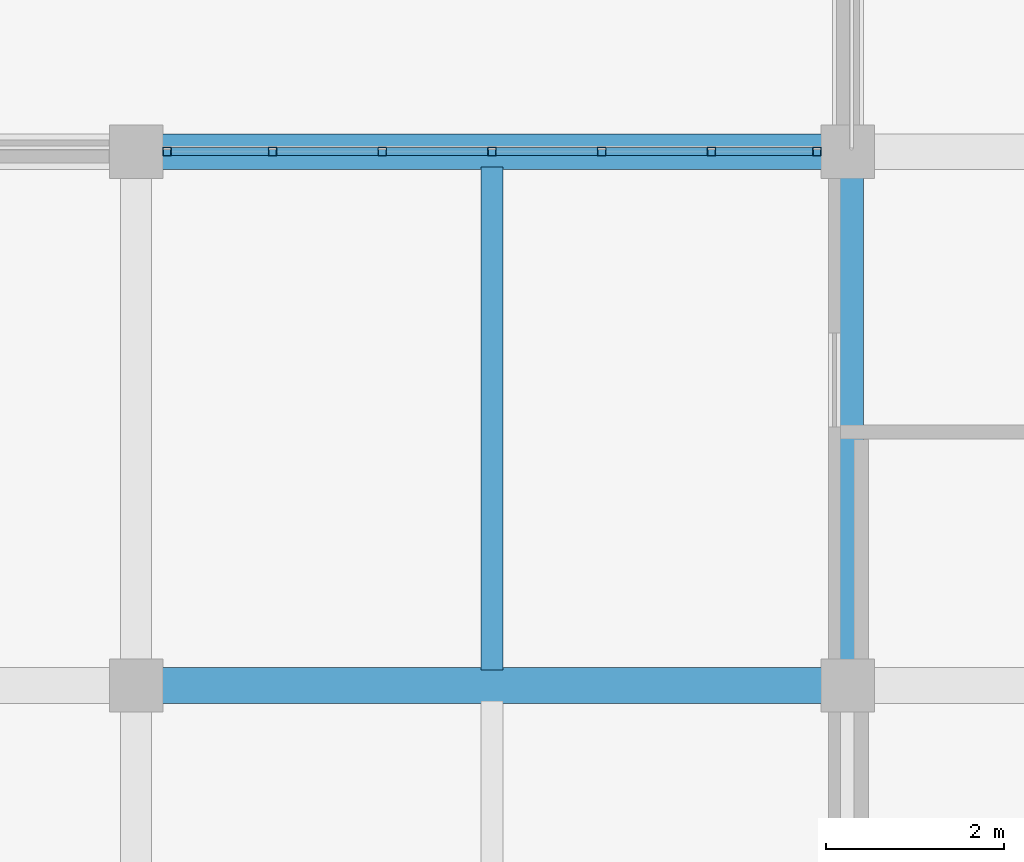
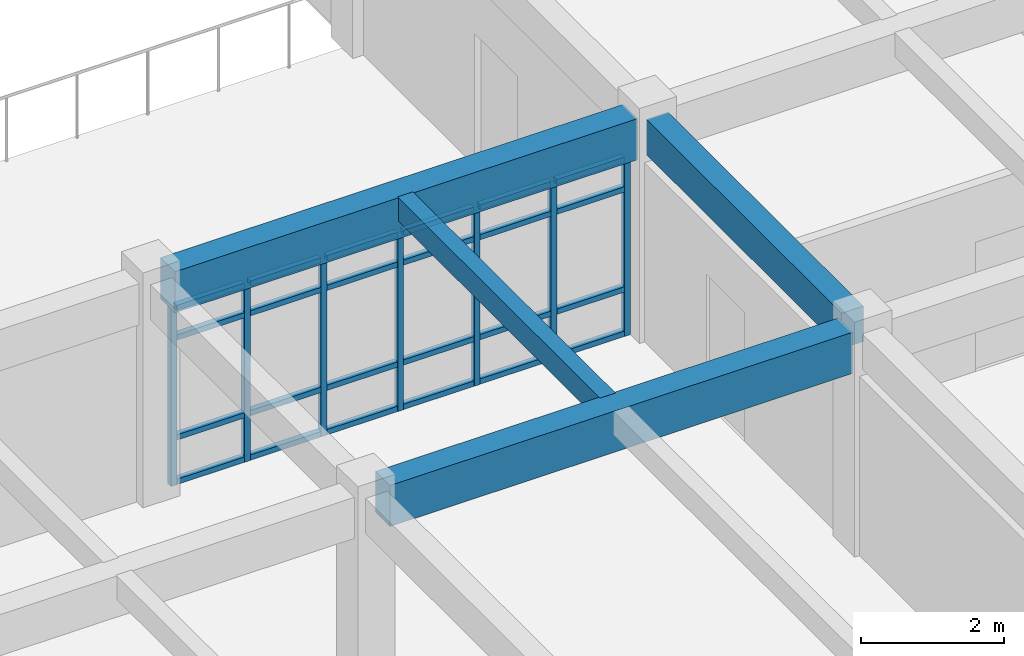
# One storey, part 81 of 159: 31 members, 4 beams, 1 element without a shape of its own.
"""IFC4 building model written with IfcOpenShell, lengths in metres."""

import ifcopenshell
import ifcopenshell.guid

model = None  # the IFC model being written
_history = None  # IfcOwnerHistory: only IFC2X3 demands one
_inside = {}  # id of a spatial element -> (the spatial element, [elements in it])
_under = {}  # id of a project, library or spatial element -> (it, [spatial elements below it])
_declared = {}  # id of a project -> (the project, [libraries it declares])
_typed = {}  # id of a type object -> (the type object, [elements of that type])
_made_of = {}  # id of a material, layer set ... -> (it, [elements and type objects made of it])


def new_model(schema):
    """Start an empty IFC model of exactly this schema.

    Asked for "IFC4X3", IfcOpenShell would pick the latest addendum, in which some entities
    have other attributes; the version numbers below select the first issue.
    IFC2X3 requires an IfcOwnerHistory on every rooted entity: one is made here for all.
    """
    global model, _history
    if schema == "IFC4X3":
        model = ifcopenshell.file(schema_version=(4, 3, 0, 0))
    else:
        model = ifcopenshell.file(schema=schema)
    _inside.clear()
    _under.clear()
    _declared.clear()
    _typed.clear()
    _made_of.clear()
    _history = None
    if model.schema == "IFC2X3":
        org = make("IfcOrganization", Name="unknown")
        user = make(
            "IfcPersonAndOrganization",
            ThePerson=make("IfcPerson", FamilyName="unknown"),
            TheOrganization=org,
        )
        app = make(
            "IfcApplication",
            ApplicationDeveloper=org,
            Version="unknown",
            ApplicationFullName="unknown",
            ApplicationIdentifier="unknown",
        )
        _history = make(
            "IfcOwnerHistory",
            OwningUser=user,
            OwningApplication=app,
            ChangeAction="ADDED",
            CreationDate=0,
        )
    return model


def make(cls, **values):
    """One entity of the class cls with the attributes given. An attribute that is None is left unset."""
    return model.create_entity(
        cls, **{name: value for name, value in values.items() if value is not None}
    )


def rooted(cls, **values):
    """An entity with a GlobalId (a new one), such as an element, a storey or a relation."""
    return make(cls, GlobalId=ifcopenshell.guid.new(), OwnerHistory=_history, **values)


def si_unit(unit_type, name, prefix=None):
    """IfcSIUnit, for example si_unit("LENGTHUNIT", "METRE", prefix="MILLI")."""
    return make("IfcSIUnit", UnitType=unit_type, Prefix=prefix, Name=name)


def assignment(units):
    """IfcUnitAssignment: the units of a project."""
    return None if units is None else make("IfcUnitAssignment", Units=units)


def point(xyz):
    """IfcCartesianPoint."""
    return None if xyz is None else make("IfcCartesianPoint", Coordinates=xyz)


def direction(xyz):
    """IfcDirection."""
    return None if xyz is None else make("IfcDirection", DirectionRatios=xyz)


def frame(location, z_axis=None, x_axis=None):
    """IfcAxis2Placement3D, a coordinate frame: its origin and axes. An axis left out is left unset."""
    return make(
        "IfcAxis2Placement3D",
        Location=point(location),
        Axis=direction(z_axis),
        RefDirection=direction(x_axis),
    )


def frame_2d(location, x_axis=None):
    """IfcAxis2Placement2D, a coordinate frame in the plane: its origin and x axis."""
    return make(
        "IfcAxis2Placement2D", Location=point(location), RefDirection=direction(x_axis)
    )


def origin():
    """The frame at (0, 0, 0) with its axes left unset."""
    return frame((0.0, 0.0, 0.0))


def origin_2d():
    """The frame at (0, 0) in the plane with its x axis left unset."""
    return frame_2d((0.0, 0.0))


def place(relative_to, where):
    """IfcLocalPlacement: puts the frame where relative to a parent placement (None: the world)."""
    return make(
        "IfcLocalPlacement", PlacementRelTo=relative_to, RelativePlacement=where
    )


def context(
    kind, dimensions, precision=None, world=None, true_north=None, identifier=None
):
    """IfcGeometricRepresentationContext, for example the 3D "Model" context."""
    return make(
        "IfcGeometricRepresentationContext",
        ContextIdentifier=identifier,
        ContextType=kind,
        CoordinateSpaceDimension=dimensions,
        Precision=precision,
        WorldCoordinateSystem=world,
        TrueNorth=true_north,
    )


def subcontext(parent, identifier, kind, view, scale=None):
    """IfcGeometricRepresentationSubContext, for example "Body" below "Model"."""
    return make(
        "IfcGeometricRepresentationSubContext",
        ContextIdentifier=identifier,
        ContextType=kind,
        ParentContext=parent,
        TargetScale=scale,
        TargetView=view,
    )


def project(units=None, contexts=None):
    """IfcProject with its units and contexts."""
    return rooted(
        "IfcProject",
        Name="project",
        RepresentationContexts=contexts,
        UnitsInContext=assignment(units),
    )


def spatial(cls, under=None, at=None, **own):
    """A site, building, storey or space (cls), placed at a placement, below another one or the project."""
    s = rooted(cls, ObjectPlacement=at, **own)
    if under is not None:
        _under.setdefault(under.id(), (under, []))[1].append(s)
    return s


def profile(cls, at=None, kind="AREA", **sizes):
    """A parametric profile (cls). Its sizes go by their IFC names, for example OverallWidth=200.0."""
    return make(cls, ProfileType=kind, Position=at, **sizes)


def rectangle(**sizes):
    """IfcRectangleProfileDef."""
    return profile("IfcRectangleProfileDef", **sizes)


def hollow_rectangle(**sizes):
    """IfcRectangleHollowProfileDef."""
    return profile("IfcRectangleHollowProfileDef", **sizes)


def extrude(swept, where, along, depth):
    """IfcExtrudedAreaSolid: the profile swept, set in the frame where, extruded along a direction by depth."""
    return make(
        "IfcExtrudedAreaSolid",
        SweptArea=swept,
        Position=where,
        ExtrudedDirection=direction(along),
        Depth=depth,
    )


def shape(context_of_items, identifier, shape_type, items):
    """IfcShapeRepresentation: the items that make up one representation, for example the "Body"."""
    return make(
        "IfcShapeRepresentation",
        ContextOfItems=context_of_items,
        RepresentationIdentifier=identifier,
        RepresentationType=shape_type,
        Items=items,
    )


def material(Name=None, Category=None):
    """IfcMaterial."""
    return make("IfcMaterial", Name=Name, Category=Category)


def material_profile(
    of_material, cross_section, Name=None, Category=None, Priority=None
):
    """IfcMaterialProfile: a cross section and its material."""
    return make(
        "IfcMaterialProfile",
        Name=Name,
        Material=of_material,
        Profile=cross_section,
        Priority=Priority,
        Category=Category,
    )


def profile_set(profiles, Name=None, composite=None):
    """IfcMaterialProfileSet."""
    return make(
        "IfcMaterialProfileSet",
        Name=Name,
        MaterialProfiles=profiles,
        CompositeProfile=composite,
    )


def made_of(thing, what):
    """Note that an element or type object is made of a material, layer set ...; save() writes the relation."""
    if what is not None:
        _made_of.setdefault(what.id(), (what, []))[1].append(thing)
    return thing


def type_object(cls, material=None, **own):
    """A type object (cls), such as IfcWallType, which elements share."""
    return made_of(rooted(cls, **own), material)


def element(
    cls,
    number,
    at=None,
    inside=None,
    cuts=None,
    type_object=None,
    material=None,
    context=None,
    identifier="Body",
    shape_type=None,
    held_by="IfcProductDefinitionShape",
    body=None,
    shapes=None,
    **own,
):
    """One element of the class cls, such as IfcWall. Its Tag is "e" and its number.

    at: its placement. inside: the storey or other place that contains it. cuts: it is an
    opening in that element (IfcRelVoidsElement). A single representation is given by context,
    identifier, shape_type and body (its items); several are given by shapes. held_by: the class
    of the entity that holds the representations. save() writes the other relations.
    """
    e = rooted(cls, Tag="e%d" % number, ObjectPlacement=at, **own)
    if body is not None:
        shapes = [shape(context, identifier, shape_type, body)]
    if shapes is not None:
        e.Representation = make(held_by, Representations=shapes)
    if inside is not None:
        _inside.setdefault(inside.id(), (inside, []))[1].append(e)
    if cuts is not None:
        rooted(
            "IfcRelVoidsElement", RelatingBuildingElement=cuts, RelatedOpeningElement=e
        )
    if type_object is not None:
        _typed.setdefault(type_object.id(), (type_object, []))[1].append(e)
    return made_of(e, material)


def aggregate(whole, parts):
    """IfcRelAggregates: a whole, such as a stair, and the parts it consists of."""
    return rooted("IfcRelAggregates", RelatingObject=whole, RelatedObjects=parts)


def save(model, path):
    """Write the relations noted so far, then the file.

    IfcRelAggregates (storeys below a building ...), IfcRelContainedInSpatialStructure (elements
    in a storey), IfcRelDefinesByType, IfcRelAssociatesMaterial and IfcRelDeclares: one each for
    every whole, place, type object, material and project.
    """
    for whole, parts in _under.values():
        aggregate(whole, parts)
    for where, things in _inside.values():
        rooted(
            "IfcRelContainedInSpatialStructure",
            RelatedElements=things,
            RelatingStructure=where,
        )
    for kind, things in _typed.values():
        rooted("IfcRelDefinesByType", RelatedObjects=things, RelatingType=kind)
    for what, things in _made_of.values():
        rooted("IfcRelAssociatesMaterial", RelatedObjects=things, RelatingMaterial=what)
    for by, libraries in _declared.values():
        rooted("IfcRelDeclares", RelatingContext=by, RelatedDefinitions=libraries)
    model.write(path)


model = new_model("IFC4")

# Units and contexts
model_context = context("Model", 3, precision=1e-05, world=origin(), true_north=direction((0.0, 1.0)))
body_context = subcontext(model_context, "Body", "Model", "MODEL_VIEW")
ifc_project = project(units=[si_unit("LENGTHUNIT", "METRE"), si_unit("AREAUNIT", "SQUARE_METRE"), si_unit("VOLUMEUNIT", "CUBIC_METRE"), si_unit("PLANEANGLEUNIT", "RADIAN"), si_unit("MASSUNIT", "GRAM", prefix="KILO")], contexts=[model_context])

# Site, building, storey
site_placement = place(None, origin())
site = spatial("IfcSite", under=ifc_project, at=site_placement, CompositionType="ELEMENT")
building_placement = place(site_placement, origin())
building = spatial("IfcBuilding", under=site, at=building_placement, Name="Celadon Cloister-Ring School", CompositionType="ELEMENT")
storey_placement = place(building_placement, frame((0.0, 0.0, 4.5)))
storey = spatial("IfcBuildingStorey", under=building, at=storey_placement, Name="L01", CompositionType="ELEMENT", Elevation=4.5)

# Beam
ifc_material_1 = material(Name="Concrete C35/45", Category="concrete")
ifc_material_profile_1 = material_profile(ifc_material_1, rectangle(XDim=0.35009765625, YDim=0.60009765625, at=origin_2d()), Name="RC350X600")
ifc_profile_set_1 = profile_set([ifc_material_profile_1], Name="Concrete C35/45")
beam_type_1 = type_object("IfcBeamType", Name="BT-02", PredefinedType="BEAM", material=ifc_profile_set_1)
beam_1_placement = place(storey_placement, frame((142.0, 10.27490234375, 3.4599609375), z_axis=(0.0, 1.0, 0.0), x_axis=(-1.0, 0.0, 0.0)))
element("IfcBeam", 1, at=beam_1_placement, inside=storey, type_object=beam_type_1, Name="Beam 1321", PredefinedType="BEAM", context=body_context, shape_type="SweptSolid", body=[
    extrude(rectangle(XDim=0.35009765625, YDim=0.60009765625, at=origin_2d()), origin(), (0.0, 0.0, 1.0), 5.4501953125),
])

# Curtain wall, members
ifc_material_2 = material(Name="Aluminium EN AW-6063 T6", Category="aluminium")
curtain_wall_type = type_object("IfcCurtainWallType", Name="CW-11", PredefinedType="USERDEFINED", material=ifc_material_2)
curtain_wall_placement = place(storey_placement, origin())
curtain_wall = element("IfcCurtainWall", 2, at=curtain_wall_placement, inside=storey, type_object=curtain_wall_type, Name="Curtain Wall 0190", ObjectType="CURTAIN WALL", PredefinedType="USERDEFINED")
ifc_material_3 = material(Name="Aluminium EN AW-6063 T6", Category="aluminium")
ifc_material_profile_2 = material_profile(ifc_material_3, hollow_rectangle(XDim=0.094970703125, YDim=0.094970703125, WallThickness=0.00390625, at=origin_2d()), Name="RHS95X95X4")
ifc_profile_set_2 = profile_set([ifc_material_profile_2], Name="Aluminium EN AW-6063 T6")
member_type_1 = type_object("IfcMemberType", Name="CM-02", PredefinedType="MULLION", material=ifc_profile_set_2)
member_1_placement = place(storey_placement, frame((134.347412109375, 16.0, 0.0), z_axis=(0.0, 0.0, 1.0), x_axis=(0.0, 1.0, 0.0)))
member_1 = element("IfcMember", 3, at=member_1_placement, type_object=member_type_1, Name="CW-11 mullion 1", PredefinedType="MULLION", context=body_context, shape_type="SweptSolid", body=[
    extrude(hollow_rectangle(XDim=0.094970703125, YDim=0.094970703125, WallThickness=0.00390625, at=origin_2d()), origin(), (0.0, 0.0, 1.0), 3.052001953125),
])
member_2_placement = place(storey_placement, frame((135.533447265625, 16.0, 0.0), z_axis=(0.0, 0.0, 1.0), x_axis=(0.0, 1.0, 0.0)))
member_2 = element("IfcMember", 4, at=member_2_placement, type_object=member_type_1, Name="CW-11 mullion 2", PredefinedType="MULLION", context=body_context, shape_type="SweptSolid", body=[
    extrude(hollow_rectangle(XDim=0.094970703125, YDim=0.094970703125, WallThickness=0.00390625, at=origin_2d()), origin(), (0.0, 0.0, 1.0), 3.052001953125),
])
member_3_placement = place(storey_placement, frame((136.7666015625, 16.0, 0.0), z_axis=(0.0, 0.0, 1.0), x_axis=(0.0, 1.0, 0.0)))
member_3 = element("IfcMember", 5, at=member_3_placement, type_object=member_type_1, Name="CW-11 mullion 3", PredefinedType="MULLION", context=body_context, shape_type="SweptSolid", body=[
    extrude(hollow_rectangle(XDim=0.094970703125, YDim=0.094970703125, WallThickness=0.00390625, at=origin_2d()), origin(), (0.0, 0.0, 1.0), 3.052001953125),
])
member_4_placement = place(storey_placement, frame((138.0, 16.0, 0.0), z_axis=(0.0, 0.0, 1.0), x_axis=(0.0, 1.0, 0.0)))
member_4 = element("IfcMember", 6, at=member_4_placement, type_object=member_type_1, Name="CW-11 mullion 4", PredefinedType="MULLION", context=body_context, shape_type="SweptSolid", body=[
    extrude(hollow_rectangle(XDim=0.094970703125, YDim=0.094970703125, WallThickness=0.00390625, at=origin_2d()), origin(), (0.0, 0.0, 1.0), 3.052001953125),
])
member_5_placement = place(storey_placement, frame((139.2333984375, 16.0, 0.0), z_axis=(0.0, 0.0, 1.0), x_axis=(0.0, 1.0, 0.0)))
member_5 = element("IfcMember", 7, at=member_5_placement, type_object=member_type_1, Name="CW-11 mullion 5", PredefinedType="MULLION", context=body_context, shape_type="SweptSolid", body=[
    extrude(hollow_rectangle(XDim=0.094970703125, YDim=0.094970703125, WallThickness=0.00390625, at=origin_2d()), origin(), (0.0, 0.0, 1.0), 3.052001953125),
])
member_6_placement = place(storey_placement, frame((140.466552734375, 16.0, 0.0), z_axis=(0.0, 0.0, 1.0), x_axis=(0.0, 1.0, 0.0)))
member_6 = element("IfcMember", 8, at=member_6_placement, type_object=member_type_1, Name="CW-11 mullion 6", PredefinedType="MULLION", context=body_context, shape_type="SweptSolid", body=[
    extrude(hollow_rectangle(XDim=0.094970703125, YDim=0.094970703125, WallThickness=0.00390625, at=origin_2d()), origin(), (0.0, 0.0, 1.0), 3.052001953125),
])
member_7_placement = place(storey_placement, frame((141.652587890625, 16.0, 0.0), z_axis=(0.0, 0.0, 1.0), x_axis=(0.0, 1.0, 0.0)))
member_7 = element("IfcMember", 9, at=member_7_placement, type_object=member_type_1, Name="CW-11 mullion 7", PredefinedType="MULLION", context=body_context, shape_type="SweptSolid", body=[
    extrude(hollow_rectangle(XDim=0.094970703125, YDim=0.094970703125, WallThickness=0.00390625, at=origin_2d()), origin(), (0.0, 0.0, 1.0), 3.052001953125),
])
ifc_material_4 = material(Name="Aluminium EN AW-6063 T6", Category="aluminium")
ifc_material_profile_3 = material_profile(ifc_material_4, hollow_rectangle(XDim=0.090087890625, YDim=0.090087890625, WallThickness=0.00390625, at=origin_2d()), Name="RHS90X90X4")
ifc_profile_set_3 = profile_set([ifc_material_profile_3], Name="Aluminium EN AW-6063 T6")
member_type_2 = type_object("IfcMemberType", Name="CTM-02", PredefinedType="USERDEFINED", material=ifc_profile_set_3)
member_8_placement = place(storey_placement, frame((134.39501953125, 16.0, 0.044921875), z_axis=(1.0, 0.0, 0.0), x_axis=(0.0, 1.0, 0.0)))
member_8 = element("IfcMember", 10, at=member_8_placement, type_object=member_type_2, Name="CW-11 transom 1.1", ObjectType="TRANSOM", PredefinedType="USERDEFINED", context=body_context, shape_type="SweptSolid", body=[
    extrude(hollow_rectangle(XDim=0.090087890625, YDim=0.090087890625, WallThickness=0.00390625, at=origin_2d()), origin(), (0.0, 0.0, 1.0), 1.0908203125),
])
member_9_placement = place(storey_placement, frame((134.39501953125, 16.0, 0.800048828125), z_axis=(1.0, 0.0, 0.0), x_axis=(0.0, 1.0, 0.0)))
member_9 = element("IfcMember", 11, at=member_9_placement, type_object=member_type_2, Name="CW-11 transom 1.2", ObjectType="TRANSOM", PredefinedType="USERDEFINED", context=body_context, shape_type="SweptSolid", body=[
    extrude(hollow_rectangle(XDim=0.090087890625, YDim=0.090087890625, WallThickness=0.00390625, at=origin_2d()), origin(), (0.0, 0.0, 1.0), 1.0908203125),
])
member_10_placement = place(storey_placement, frame((134.39501953125, 16.0, 2.501953125), z_axis=(1.0, 0.0, 0.0), x_axis=(0.0, 1.0, 0.0)))
member_10 = element("IfcMember", 12, at=member_10_placement, type_object=member_type_2, Name="CW-11 transom 1.3", ObjectType="TRANSOM", PredefinedType="USERDEFINED", context=body_context, shape_type="SweptSolid", body=[
    extrude(hollow_rectangle(XDim=0.090087890625, YDim=0.090087890625, WallThickness=0.00390625, at=origin_2d()), origin(), (0.0, 0.0, 1.0), 1.0908203125),
])
member_11_placement = place(storey_placement, frame((134.39501953125, 16.0, 3.007080078125), z_axis=(1.0, 0.0, 0.0), x_axis=(0.0, 1.0, 0.0)))
member_11 = element("IfcMember", 13, at=member_11_placement, type_object=member_type_2, Name="CW-11 transom 1.4", ObjectType="TRANSOM", PredefinedType="USERDEFINED", context=body_context, shape_type="SweptSolid", body=[
    extrude(hollow_rectangle(XDim=0.090087890625, YDim=0.090087890625, WallThickness=0.00390625, at=origin_2d()), origin(), (0.0, 0.0, 1.0), 1.0908203125),
])
member_12_placement = place(storey_placement, frame((135.580810546875, 16.0, 0.044921875), z_axis=(1.0, 0.0, 0.0), x_axis=(0.0, 1.0, 0.0)))
member_12 = element("IfcMember", 14, at=member_12_placement, type_object=member_type_2, Name="CW-11 transom 2.1", ObjectType="TRANSOM", PredefinedType="USERDEFINED", context=body_context, shape_type="SweptSolid", body=[
    extrude(hollow_rectangle(XDim=0.090087890625, YDim=0.090087890625, WallThickness=0.00390625, at=origin_2d()), origin(), (0.0, 0.0, 1.0), 1.138427734375),
])
member_13_placement = place(storey_placement, frame((135.580810546875, 16.0, 0.800048828125), z_axis=(1.0, 0.0, 0.0), x_axis=(0.0, 1.0, 0.0)))
member_13 = element("IfcMember", 15, at=member_13_placement, type_object=member_type_2, Name="CW-11 transom 2.2", ObjectType="TRANSOM", PredefinedType="USERDEFINED", context=body_context, shape_type="SweptSolid", body=[
    extrude(hollow_rectangle(XDim=0.090087890625, YDim=0.090087890625, WallThickness=0.00390625, at=origin_2d()), origin(), (0.0, 0.0, 1.0), 1.138427734375),
])
member_14_placement = place(storey_placement, frame((135.580810546875, 16.0, 2.501953125), z_axis=(1.0, 0.0, 0.0), x_axis=(0.0, 1.0, 0.0)))
member_14 = element("IfcMember", 16, at=member_14_placement, type_object=member_type_2, Name="CW-11 transom 2.3", ObjectType="TRANSOM", PredefinedType="USERDEFINED", context=body_context, shape_type="SweptSolid", body=[
    extrude(hollow_rectangle(XDim=0.090087890625, YDim=0.090087890625, WallThickness=0.00390625, at=origin_2d()), origin(), (0.0, 0.0, 1.0), 1.138427734375),
])
member_15_placement = place(storey_placement, frame((135.580810546875, 16.0, 3.007080078125), z_axis=(1.0, 0.0, 0.0), x_axis=(0.0, 1.0, 0.0)))
member_15 = element("IfcMember", 17, at=member_15_placement, type_object=member_type_2, Name="CW-11 transom 2.4", ObjectType="TRANSOM", PredefinedType="USERDEFINED", context=body_context, shape_type="SweptSolid", body=[
    extrude(hollow_rectangle(XDim=0.090087890625, YDim=0.090087890625, WallThickness=0.00390625, at=origin_2d()), origin(), (0.0, 0.0, 1.0), 1.138427734375),
])
member_16_placement = place(storey_placement, frame((136.814208984375, 16.0, 0.044921875), z_axis=(1.0, 0.0, 0.0), x_axis=(0.0, 1.0, 0.0)))
member_16 = element("IfcMember", 18, at=member_16_placement, type_object=member_type_2, Name="CW-11 transom 3.1", ObjectType="TRANSOM", PredefinedType="USERDEFINED", context=body_context, shape_type="SweptSolid", body=[
    extrude(hollow_rectangle(XDim=0.090087890625, YDim=0.090087890625, WallThickness=0.00390625, at=origin_2d()), origin(), (0.0, 0.0, 1.0), 1.13818359375),
])
member_17_placement = place(storey_placement, frame((136.814208984375, 16.0, 0.800048828125), z_axis=(1.0, 0.0, 0.0), x_axis=(0.0, 1.0, 0.0)))
member_17 = element("IfcMember", 19, at=member_17_placement, type_object=member_type_2, Name="CW-11 transom 3.2", ObjectType="TRANSOM", PredefinedType="USERDEFINED", context=body_context, shape_type="SweptSolid", body=[
    extrude(hollow_rectangle(XDim=0.090087890625, YDim=0.090087890625, WallThickness=0.00390625, at=origin_2d()), origin(), (0.0, 0.0, 1.0), 1.13818359375),
])
member_18_placement = place(storey_placement, frame((136.814208984375, 16.0, 2.501953125), z_axis=(1.0, 0.0, 0.0), x_axis=(0.0, 1.0, 0.0)))
member_18 = element("IfcMember", 20, at=member_18_placement, type_object=member_type_2, Name="CW-11 transom 3.3", ObjectType="TRANSOM", PredefinedType="USERDEFINED", context=body_context, shape_type="SweptSolid", body=[
    extrude(hollow_rectangle(XDim=0.090087890625, YDim=0.090087890625, WallThickness=0.00390625, at=origin_2d()), origin(), (0.0, 0.0, 1.0), 1.13818359375),
])
member_19_placement = place(storey_placement, frame((136.814208984375, 16.0, 3.007080078125), z_axis=(1.0, 0.0, 0.0), x_axis=(0.0, 1.0, 0.0)))
member_19 = element("IfcMember", 21, at=member_19_placement, type_object=member_type_2, Name="CW-11 transom 3.4", ObjectType="TRANSOM", PredefinedType="USERDEFINED", context=body_context, shape_type="SweptSolid", body=[
    extrude(hollow_rectangle(XDim=0.090087890625, YDim=0.090087890625, WallThickness=0.00390625, at=origin_2d()), origin(), (0.0, 0.0, 1.0), 1.13818359375),
])
member_20_placement = place(storey_placement, frame((138.047607421875, 16.0, 0.044921875), z_axis=(1.0, 0.0, 0.0), x_axis=(0.0, 1.0, 0.0)))
member_20 = element("IfcMember", 22, at=member_20_placement, type_object=member_type_2, Name="CW-11 transom 4.1", ObjectType="TRANSOM", PredefinedType="USERDEFINED", context=body_context, shape_type="SweptSolid", body=[
    extrude(hollow_rectangle(XDim=0.090087890625, YDim=0.090087890625, WallThickness=0.00390625, at=origin_2d()), origin(), (0.0, 0.0, 1.0), 1.13818359375),
])
member_21_placement = place(storey_placement, frame((138.047607421875, 16.0, 0.800048828125), z_axis=(1.0, 0.0, 0.0), x_axis=(0.0, 1.0, 0.0)))
member_21 = element("IfcMember", 23, at=member_21_placement, type_object=member_type_2, Name="CW-11 transom 4.2", ObjectType="TRANSOM", PredefinedType="USERDEFINED", context=body_context, shape_type="SweptSolid", body=[
    extrude(hollow_rectangle(XDim=0.090087890625, YDim=0.090087890625, WallThickness=0.00390625, at=origin_2d()), origin(), (0.0, 0.0, 1.0), 1.13818359375),
])
member_22_placement = place(storey_placement, frame((138.047607421875, 16.0, 2.501953125), z_axis=(1.0, 0.0, 0.0), x_axis=(0.0, 1.0, 0.0)))
member_22 = element("IfcMember", 24, at=member_22_placement, type_object=member_type_2, Name="CW-11 transom 4.3", ObjectType="TRANSOM", PredefinedType="USERDEFINED", context=body_context, shape_type="SweptSolid", body=[
    extrude(hollow_rectangle(XDim=0.090087890625, YDim=0.090087890625, WallThickness=0.00390625, at=origin_2d()), origin(), (0.0, 0.0, 1.0), 1.13818359375),
])
member_23_placement = place(storey_placement, frame((138.047607421875, 16.0, 3.007080078125), z_axis=(1.0, 0.0, 0.0), x_axis=(0.0, 1.0, 0.0)))
member_23 = element("IfcMember", 25, at=member_23_placement, type_object=member_type_2, Name="CW-11 transom 4.4", ObjectType="TRANSOM", PredefinedType="USERDEFINED", context=body_context, shape_type="SweptSolid", body=[
    extrude(hollow_rectangle(XDim=0.090087890625, YDim=0.090087890625, WallThickness=0.00390625, at=origin_2d()), origin(), (0.0, 0.0, 1.0), 1.13818359375),
])
member_24_placement = place(storey_placement, frame((139.28076171875, 16.0, 0.044921875), z_axis=(1.0, 0.0, 0.0), x_axis=(0.0, 1.0, 0.0)))
member_24 = element("IfcMember", 26, at=member_24_placement, type_object=member_type_2, Name="CW-11 transom 5.1", ObjectType="TRANSOM", PredefinedType="USERDEFINED", context=body_context, shape_type="SweptSolid", body=[
    extrude(hollow_rectangle(XDim=0.090087890625, YDim=0.090087890625, WallThickness=0.00390625, at=origin_2d()), origin(), (0.0, 0.0, 1.0), 1.138427734375),
])
member_25_placement = place(storey_placement, frame((139.28076171875, 16.0, 0.800048828125), z_axis=(1.0, 0.0, 0.0), x_axis=(0.0, 1.0, 0.0)))
member_25 = element("IfcMember", 27, at=member_25_placement, type_object=member_type_2, Name="CW-11 transom 5.2", ObjectType="TRANSOM", PredefinedType="USERDEFINED", context=body_context, shape_type="SweptSolid", body=[
    extrude(hollow_rectangle(XDim=0.090087890625, YDim=0.090087890625, WallThickness=0.00390625, at=origin_2d()), origin(), (0.0, 0.0, 1.0), 1.138427734375),
])
member_26_placement = place(storey_placement, frame((139.28076171875, 16.0, 2.501953125), z_axis=(1.0, 0.0, 0.0), x_axis=(0.0, 1.0, 0.0)))
member_26 = element("IfcMember", 28, at=member_26_placement, type_object=member_type_2, Name="CW-11 transom 5.3", ObjectType="TRANSOM", PredefinedType="USERDEFINED", context=body_context, shape_type="SweptSolid", body=[
    extrude(hollow_rectangle(XDim=0.090087890625, YDim=0.090087890625, WallThickness=0.00390625, at=origin_2d()), origin(), (0.0, 0.0, 1.0), 1.138427734375),
])
member_27_placement = place(storey_placement, frame((139.28076171875, 16.0, 3.007080078125), z_axis=(1.0, 0.0, 0.0), x_axis=(0.0, 1.0, 0.0)))
member_27 = element("IfcMember", 29, at=member_27_placement, type_object=member_type_2, Name="CW-11 transom 5.4", ObjectType="TRANSOM", PredefinedType="USERDEFINED", context=body_context, shape_type="SweptSolid", body=[
    extrude(hollow_rectangle(XDim=0.090087890625, YDim=0.090087890625, WallThickness=0.00390625, at=origin_2d()), origin(), (0.0, 0.0, 1.0), 1.138427734375),
])
member_28_placement = place(storey_placement, frame((140.51416015625, 16.0, 0.044921875), z_axis=(1.0, 0.0, 0.0), x_axis=(0.0, 1.0, 0.0)))
member_28 = element("IfcMember", 30, at=member_28_placement, type_object=member_type_2, Name="CW-11 transom 6.1", ObjectType="TRANSOM", PredefinedType="USERDEFINED", context=body_context, shape_type="SweptSolid", body=[
    extrude(hollow_rectangle(XDim=0.090087890625, YDim=0.090087890625, WallThickness=0.00390625, at=origin_2d()), origin(), (0.0, 0.0, 1.0), 1.0908203125),
])
member_29_placement = place(storey_placement, frame((140.51416015625, 16.0, 0.800048828125), z_axis=(1.0, 0.0, 0.0), x_axis=(0.0, 1.0, 0.0)))
member_29 = element("IfcMember", 31, at=member_29_placement, type_object=member_type_2, Name="CW-11 transom 6.2", ObjectType="TRANSOM", PredefinedType="USERDEFINED", context=body_context, shape_type="SweptSolid", body=[
    extrude(hollow_rectangle(XDim=0.090087890625, YDim=0.090087890625, WallThickness=0.00390625, at=origin_2d()), origin(), (0.0, 0.0, 1.0), 1.0908203125),
])
member_30_placement = place(storey_placement, frame((140.51416015625, 16.0, 2.501953125), z_axis=(1.0, 0.0, 0.0), x_axis=(0.0, 1.0, 0.0)))
member_30 = element("IfcMember", 32, at=member_30_placement, type_object=member_type_2, Name="CW-11 transom 6.3", ObjectType="TRANSOM", PredefinedType="USERDEFINED", context=body_context, shape_type="SweptSolid", body=[
    extrude(hollow_rectangle(XDim=0.090087890625, YDim=0.090087890625, WallThickness=0.00390625, at=origin_2d()), origin(), (0.0, 0.0, 1.0), 1.0908203125),
])
member_31_placement = place(storey_placement, frame((140.51416015625, 16.0, 3.007080078125), z_axis=(1.0, 0.0, 0.0), x_axis=(0.0, 1.0, 0.0)))
member_31 = element("IfcMember", 33, at=member_31_placement, type_object=member_type_2, Name="CW-11 transom 6.4", ObjectType="TRANSOM", PredefinedType="USERDEFINED", context=body_context, shape_type="SweptSolid", body=[
    extrude(hollow_rectangle(XDim=0.090087890625, YDim=0.090087890625, WallThickness=0.00390625, at=origin_2d()), origin(), (0.0, 0.0, 1.0), 1.0908203125),
])
aggregate(curtain_wall, [member_1, member_2, member_3, member_4, member_5, member_6, member_7, member_8, member_9, member_10, member_11, member_12, member_13, member_14, member_15, member_16, member_17, member_18, member_19, member_20, member_21, member_22, member_23, member_24, member_25, member_26, member_27, member_28, member_29, member_30, member_31])

# Beams
ifc_material_5 = material(Name="Concrete C35/45", Category="concrete")
ifc_material_profile_4 = material_profile(ifc_material_5, rectangle(XDim=0.39990234375, YDim=0.699951171875, at=origin_2d()), Name="RC400X700")
ifc_profile_set_4 = profile_set([ifc_material_profile_4], Name="Concrete C35/45")
beam_type_2 = type_object("IfcBeamType", Name="GT-03", PredefinedType="USERDEFINED", material=ifc_profile_set_4)
for number, where, z_axis, x_axis, name in (
    (34, (134.27490234375, 10.0, 3.409912109375), (1.0, 0.0, 0.0), (0.0, 1.0, 0.0), "Beam 1289"),
    (35, (134.27490234375, 16.0, 3.409912109375), (1.0, 0.0, 0.0), (0.0, 1.0, 0.0), "Beam 1295"),
):
    element("IfcBeam", number, at=place(storey_placement, frame(where, z_axis=z_axis, x_axis=x_axis)), inside=storey, type_object=beam_type_2, Name=name, ObjectType="GIRDER", PredefinedType="USERDEFINED", context=body_context, shape_type="SweptSolid", body=[
        extrude(rectangle(XDim=0.39990234375, YDim=0.699951171875, at=origin_2d()), origin(), (0.0, 0.0, 1.0), 7.4501953125),
    ])
ifc_material_6 = material(Name="Concrete C35/45", Category="concrete")
ifc_material_profile_5 = material_profile(ifc_material_6, rectangle(XDim=0.25, YDim=0.39990234375, at=origin_2d()), Name="RC250X400")
ifc_profile_set_5 = profile_set([ifc_material_profile_5], Name="Concrete C35/45")
beam_type_3 = type_object("IfcBeamType", Name="JT-02", PredefinedType="JOIST", material=ifc_profile_set_5)
beam_2_placement = place(storey_placement, frame((138.0, 10.175048828125, 3.56005859375), z_axis=(0.0, 1.0, 0.0), x_axis=(-1.0, 0.0, 0.0)))
element("IfcBeam", 36, at=beam_2_placement, inside=storey, type_object=beam_type_3, Name="Beam 1359", PredefinedType="JOIST", context=body_context, shape_type="SweptSolid", body=[
    extrude(rectangle(XDim=0.25, YDim=0.39990234375, at=origin_2d()), origin(), (0.0, 0.0, 1.0), 5.64990234375),
])

save(model, "model.ifc")
